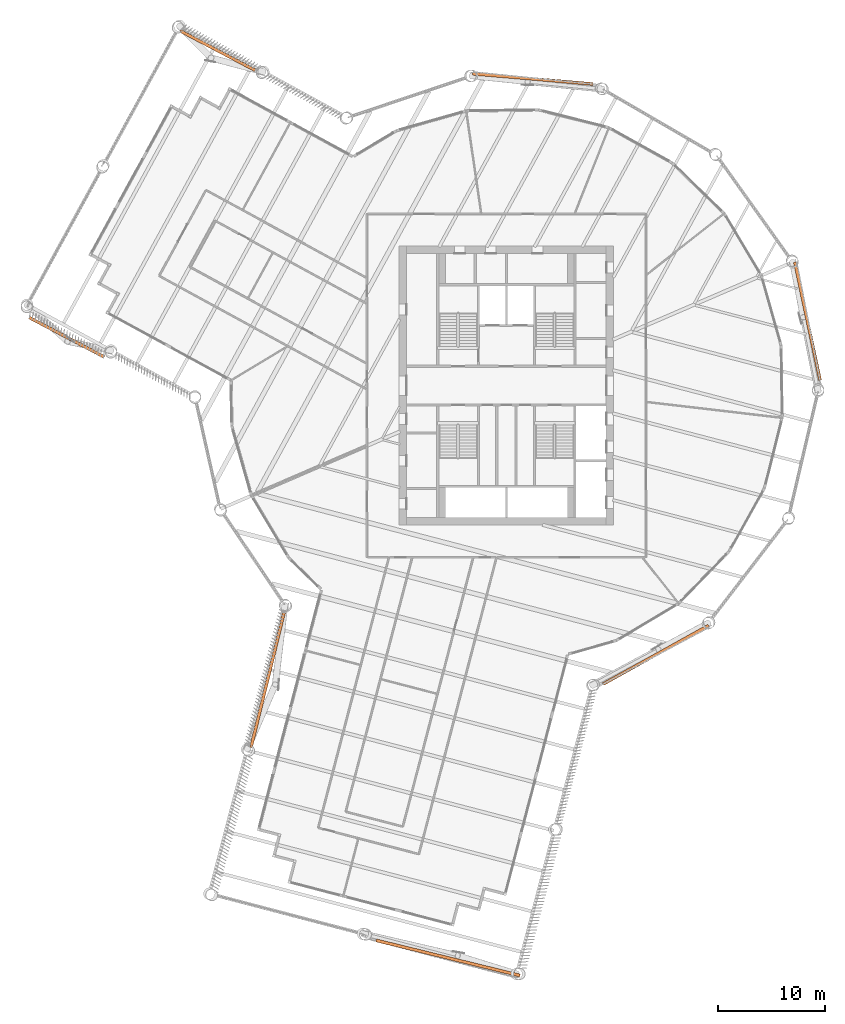
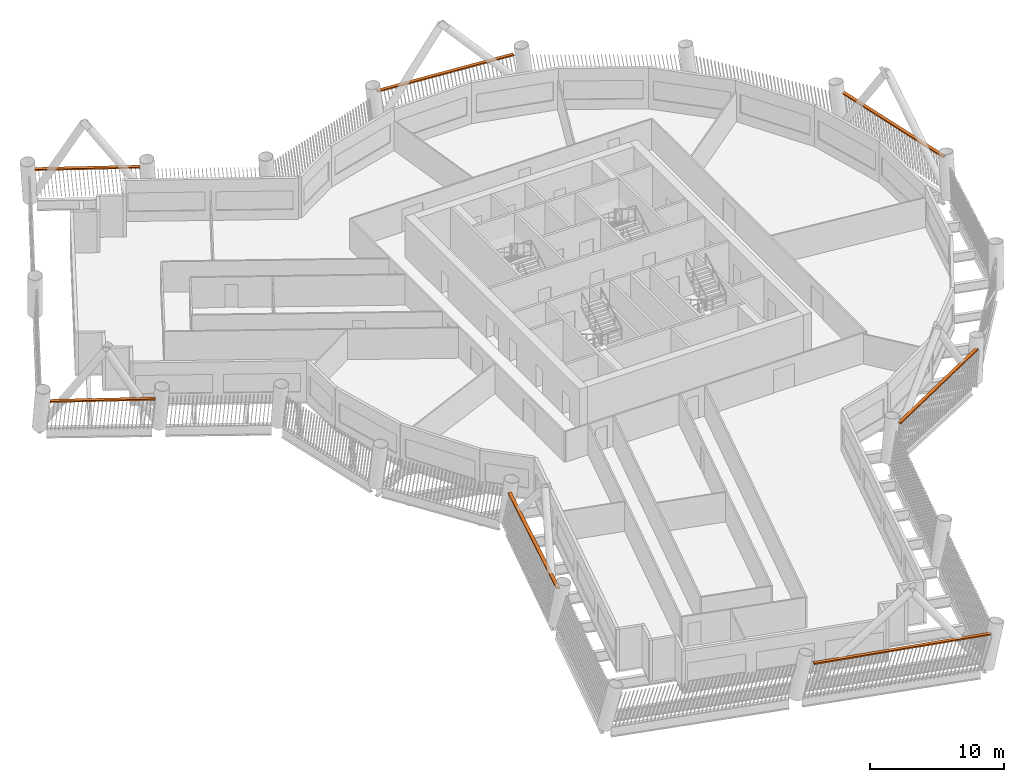
# One storey, part 24 of 24: 7 proxies.
"""IFC4 building model written with IfcOpenShell, lengths in metres."""

import ifcopenshell
import ifcopenshell.guid

model = None  # the IFC model being written
_history = None  # IfcOwnerHistory: only IFC2X3 demands one
_inside = {}  # id of a spatial element -> (the spatial element, [elements in it])
_under = {}  # id of a project, library or spatial element -> (it, [spatial elements below it])
_declared = {}  # id of a project -> (the project, [libraries it declares])
_typed = {}  # id of a type object -> (the type object, [elements of that type])
_made_of = {}  # id of a material, layer set ... -> (it, [elements and type objects made of it])


def new_model(schema):
    """Start an empty IFC model of exactly this schema.

    Asked for "IFC4X3", IfcOpenShell would pick the latest addendum, in which some entities
    have other attributes; the version numbers below select the first issue.
    IFC2X3 requires an IfcOwnerHistory on every rooted entity: one is made here for all.
    """
    global model, _history
    if schema == "IFC4X3":
        model = ifcopenshell.file(schema_version=(4, 3, 0, 0))
    else:
        model = ifcopenshell.file(schema=schema)
    _inside.clear()
    _under.clear()
    _declared.clear()
    _typed.clear()
    _made_of.clear()
    _history = None
    if model.schema == "IFC2X3":
        org = make("IfcOrganization", Name="unknown")
        user = make(
            "IfcPersonAndOrganization",
            ThePerson=make("IfcPerson", FamilyName="unknown"),
            TheOrganization=org,
        )
        app = make(
            "IfcApplication",
            ApplicationDeveloper=org,
            Version="unknown",
            ApplicationFullName="unknown",
            ApplicationIdentifier="unknown",
        )
        _history = make(
            "IfcOwnerHistory",
            OwningUser=user,
            OwningApplication=app,
            ChangeAction="ADDED",
            CreationDate=0,
        )
    return model


def make(cls, **values):
    """One entity of the class cls with the attributes given. An attribute that is None is left unset."""
    return model.create_entity(
        cls, **{name: value for name, value in values.items() if value is not None}
    )


def rooted(cls, **values):
    """An entity with a GlobalId (a new one), such as an element, a storey or a relation."""
    return make(cls, GlobalId=ifcopenshell.guid.new(), OwnerHistory=_history, **values)


def si_unit(unit_type, name, prefix=None):
    """IfcSIUnit, for example si_unit("LENGTHUNIT", "METRE", prefix="MILLI")."""
    return make("IfcSIUnit", UnitType=unit_type, Prefix=prefix, Name=name)


def assignment(units):
    """IfcUnitAssignment: the units of a project."""
    return None if units is None else make("IfcUnitAssignment", Units=units)


def point(xyz):
    """IfcCartesianPoint."""
    return None if xyz is None else make("IfcCartesianPoint", Coordinates=xyz)


def direction(xyz):
    """IfcDirection."""
    return None if xyz is None else make("IfcDirection", DirectionRatios=xyz)


def frame(location, z_axis=None, x_axis=None):
    """IfcAxis2Placement3D, a coordinate frame: its origin and axes. An axis left out is left unset."""
    return make(
        "IfcAxis2Placement3D",
        Location=point(location),
        Axis=direction(z_axis),
        RefDirection=direction(x_axis),
    )


def frame_2d(location, x_axis=None):
    """IfcAxis2Placement2D, a coordinate frame in the plane: its origin and x axis."""
    return make(
        "IfcAxis2Placement2D", Location=point(location), RefDirection=direction(x_axis)
    )


def origin():
    """The frame at (0, 0, 0) with its axes left unset."""
    return frame((0.0, 0.0, 0.0))


def origin_2d():
    """The frame at (0, 0) in the plane with its x axis left unset."""
    return frame_2d((0.0, 0.0))


def place(relative_to, where):
    """IfcLocalPlacement: puts the frame where relative to a parent placement (None: the world)."""
    return make(
        "IfcLocalPlacement", PlacementRelTo=relative_to, RelativePlacement=where
    )


def context(
    kind, dimensions, precision=None, world=None, true_north=None, identifier=None
):
    """IfcGeometricRepresentationContext, for example the 3D "Model" context."""
    return make(
        "IfcGeometricRepresentationContext",
        ContextIdentifier=identifier,
        ContextType=kind,
        CoordinateSpaceDimension=dimensions,
        Precision=precision,
        WorldCoordinateSystem=world,
        TrueNorth=true_north,
    )


def subcontext(parent, identifier, kind, view, scale=None):
    """IfcGeometricRepresentationSubContext, for example "Body" below "Model"."""
    return make(
        "IfcGeometricRepresentationSubContext",
        ContextIdentifier=identifier,
        ContextType=kind,
        ParentContext=parent,
        TargetScale=scale,
        TargetView=view,
    )


def project(units=None, contexts=None):
    """IfcProject with its units and contexts."""
    return rooted(
        "IfcProject",
        Name="project",
        RepresentationContexts=contexts,
        UnitsInContext=assignment(units),
    )


def spatial(cls, under=None, at=None, **own):
    """A site, building, storey or space (cls), placed at a placement, below another one or the project."""
    s = rooted(cls, ObjectPlacement=at, **own)
    if under is not None:
        _under.setdefault(under.id(), (under, []))[1].append(s)
    return s


def profile(cls, at=None, kind="AREA", **sizes):
    """A parametric profile (cls). Its sizes go by their IFC names, for example OverallWidth=200.0."""
    return make(cls, ProfileType=kind, Position=at, **sizes)


def rectangle(**sizes):
    """IfcRectangleProfileDef."""
    return profile("IfcRectangleProfileDef", **sizes)


def extrude(swept, where, along, depth):
    """IfcExtrudedAreaSolid: the profile swept, set in the frame where, extruded along a direction by depth."""
    return make(
        "IfcExtrudedAreaSolid",
        SweptArea=swept,
        Position=where,
        ExtrudedDirection=direction(along),
        Depth=depth,
    )


def shape(context_of_items, identifier, shape_type, items):
    """IfcShapeRepresentation: the items that make up one representation, for example the "Body"."""
    return make(
        "IfcShapeRepresentation",
        ContextOfItems=context_of_items,
        RepresentationIdentifier=identifier,
        RepresentationType=shape_type,
        Items=items,
    )


def material(Name=None, Category=None):
    """IfcMaterial."""
    return make("IfcMaterial", Name=Name, Category=Category)


def made_of(thing, what):
    """Note that an element or type object is made of a material, layer set ...; save() writes the relation."""
    if what is not None:
        _made_of.setdefault(what.id(), (what, []))[1].append(thing)
    return thing


def type_object(cls, material=None, **own):
    """A type object (cls), such as IfcWallType, which elements share."""
    return made_of(rooted(cls, **own), material)


def element(
    cls,
    number,
    at=None,
    inside=None,
    cuts=None,
    type_object=None,
    material=None,
    context=None,
    identifier="Body",
    shape_type=None,
    held_by="IfcProductDefinitionShape",
    body=None,
    shapes=None,
    **own,
):
    """One element of the class cls, such as IfcWall. Its Tag is "e" and its number.

    at: its placement. inside: the storey or other place that contains it. cuts: it is an
    opening in that element (IfcRelVoidsElement). A single representation is given by context,
    identifier, shape_type and body (its items); several are given by shapes. held_by: the class
    of the entity that holds the representations. save() writes the other relations.
    """
    e = rooted(cls, Tag="e%d" % number, ObjectPlacement=at, **own)
    if body is not None:
        shapes = [shape(context, identifier, shape_type, body)]
    if shapes is not None:
        e.Representation = make(held_by, Representations=shapes)
    if inside is not None:
        _inside.setdefault(inside.id(), (inside, []))[1].append(e)
    if cuts is not None:
        rooted(
            "IfcRelVoidsElement", RelatingBuildingElement=cuts, RelatedOpeningElement=e
        )
    if type_object is not None:
        _typed.setdefault(type_object.id(), (type_object, []))[1].append(e)
    return made_of(e, material)


def aggregate(whole, parts):
    """IfcRelAggregates: a whole, such as a stair, and the parts it consists of."""
    return rooted("IfcRelAggregates", RelatingObject=whole, RelatedObjects=parts)


def save(model, path):
    """Write the relations noted so far, then the file.

    IfcRelAggregates (storeys below a building ...), IfcRelContainedInSpatialStructure (elements
    in a storey), IfcRelDefinesByType, IfcRelAssociatesMaterial and IfcRelDeclares: one each for
    every whole, place, type object, material and project.
    """
    for whole, parts in _under.values():
        aggregate(whole, parts)
    for where, things in _inside.values():
        rooted(
            "IfcRelContainedInSpatialStructure",
            RelatedElements=things,
            RelatingStructure=where,
        )
    for kind, things in _typed.values():
        rooted("IfcRelDefinesByType", RelatedObjects=things, RelatingType=kind)
    for what, things in _made_of.values():
        rooted("IfcRelAssociatesMaterial", RelatedObjects=things, RelatingMaterial=what)
    for by, libraries in _declared.values():
        rooted("IfcRelDeclares", RelatingContext=by, RelatedDefinitions=libraries)
    model.write(path)


model = new_model("IFC4")

# Units and contexts
model_context = context("Model", 3, precision=1e-05, world=origin(), true_north=direction((0.0, 1.0)))
body_context = subcontext(model_context, "Body", "Model", "MODEL_VIEW")
ifc_project = project(units=[si_unit("LENGTHUNIT", "METRE"), si_unit("AREAUNIT", "SQUARE_METRE"), si_unit("VOLUMEUNIT", "CUBIC_METRE"), si_unit("PLANEANGLEUNIT", "RADIAN"), si_unit("MASSUNIT", "GRAM", prefix="KILO")], contexts=[model_context])

# Site, building, storey
site_placement = place(None, origin())
site = spatial("IfcSite", under=ifc_project, at=site_placement, CompositionType="ELEMENT")
building_placement = place(site_placement, origin())
building = spatial("IfcBuilding", under=site, at=building_placement, Name="Tarsis Ring Headquarters", CompositionType="ELEMENT")
storey_placement = place(building_placement, frame((0.0, 0.0, 163.199951171875)))
storey = spatial("IfcBuildingStorey", under=building, at=storey_placement, Name="L37", CompositionType="ELEMENT", Elevation=163.199951171875)

# Proxies
ifc_material = material(Name="Structural steel S355", Category="steel")
building_element_proxy_type = type_object("IfcBuildingElementProxyType", Name="Screen bracket plate", PredefinedType="USERDEFINED", material=ifc_material)
proxy_1_placement = place(storey_placement, frame((-22.260498046875, -27.439453125, 2.949951171875), z_axis=(0.0, 0.0, 1.0), x_axis=(-0.237855453783, -0.971300562702, 0.0)))
element("IfcBuildingElementProxy", 1, at=proxy_1_placement, inside=storey, type_object=building_element_proxy_type, Name="Screen bracket L37-01", ObjectType="Bracket", PredefinedType="USERDEFINED", context=body_context, shape_type="SweptSolid", body=[
    extrude(rectangle(XDim=12.90234375, YDim=0.280029296875, at=origin_2d()), origin(), (0.0, 0.0, 1.0), 0.1201171875),
])
proxy_2_placement = place(storey_placement, frame((-5.44140625, -53.331298828125, 2.949951171875), z_axis=(0.0, 0.0, 1.0), x_axis=(0.971300558551, -0.237855470735, 0.0)))
element("IfcBuildingElementProxy", 2, at=proxy_2_placement, inside=storey, type_object=building_element_proxy_type, Name="Screen bracket L37-04", ObjectType="Bracket", PredefinedType="USERDEFINED", context=body_context, shape_type="SweptSolid", body=[
    extrude(rectangle(XDim=13.800048828125, YDim=0.280029296875, at=origin_2d()), origin(), (0.0, 0.0, 1.0), 0.1201171875),
])
for number, where, z_axis, x_axis, name in (
    (3, (13.927490234375, -25.083251953125, 2.949951171875), (0.0, 0.0, 1.0), (0.874270196928, 0.485439618041, 0.0), "Screen bracket L37-07"),
    (4, (28.056396484375, 5.998779296875, 2.949951171875), (0.0, 0.0, 1.0), (-0.209085284928, 0.977897409561, 0.0), "Screen bracket L37-10"),
    (5, (2.45263671875, 28.58544921875, 2.949951171875), (0.0, 0.0, 1.0), (-0.996339670709, 0.085482516168, 0.0), "Screen bracket L37-13"),
):
    element("IfcBuildingElementProxy", number, at=place(storey_placement, frame(where, z_axis=z_axis, x_axis=x_axis)), inside=storey, type_object=building_element_proxy_type, Name=name, ObjectType="Bracket", PredefinedType="USERDEFINED", context=body_context, shape_type="SweptSolid", body=[
        extrude(rectangle(XDim=11.248779296875, YDim=0.280029296875, at=origin_2d()), origin(), (0.0, 0.0, 1.0), 0.1201171875),
    ])
for number, where, z_axis, x_axis, name in (
    (6, (-26.904296875, 31.21923828125, 2.949951171875), (0.0, 0.0, 1.0), (-0.884906326403, 0.465769034492, 0.0), "Screen bracket L37-16"),
    (7, (-40.9658203125, 4.504150390625, 2.949951171875), (0.0, 0.0, 1.0), (0.884906367049, -0.465768957269, 0.0), "Screen bracket L37-19"),
):
    element("IfcBuildingElementProxy", number, at=place(storey_placement, frame(where, z_axis=z_axis, x_axis=x_axis)), inside=storey, type_object=building_element_proxy_type, Name=name, ObjectType="Bracket", PredefinedType="USERDEFINED", context=body_context, shape_type="SweptSolid", body=[
        extrude(rectangle(XDim=7.90234375, YDim=0.280029296875, at=origin_2d()), origin(), (0.0, 0.0, 1.0), 0.1201171875),
    ])

save(model, "model.ifc")
